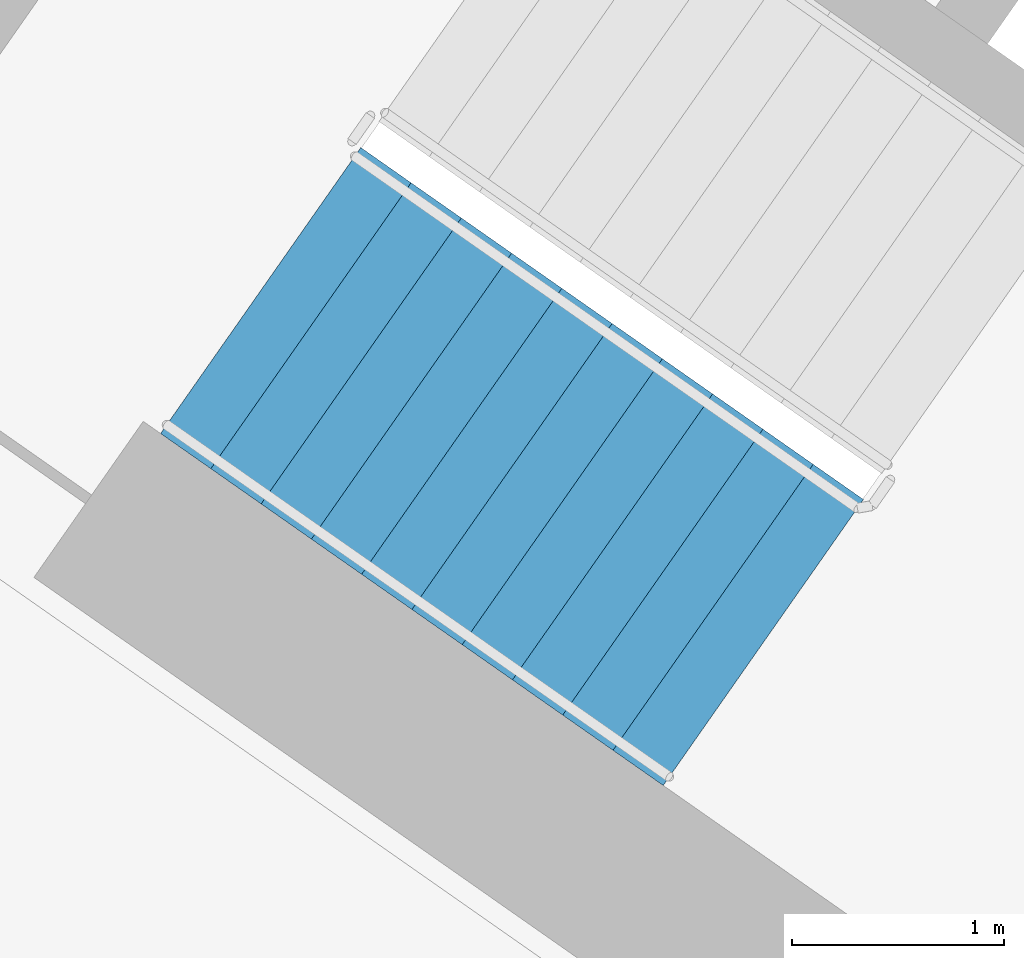
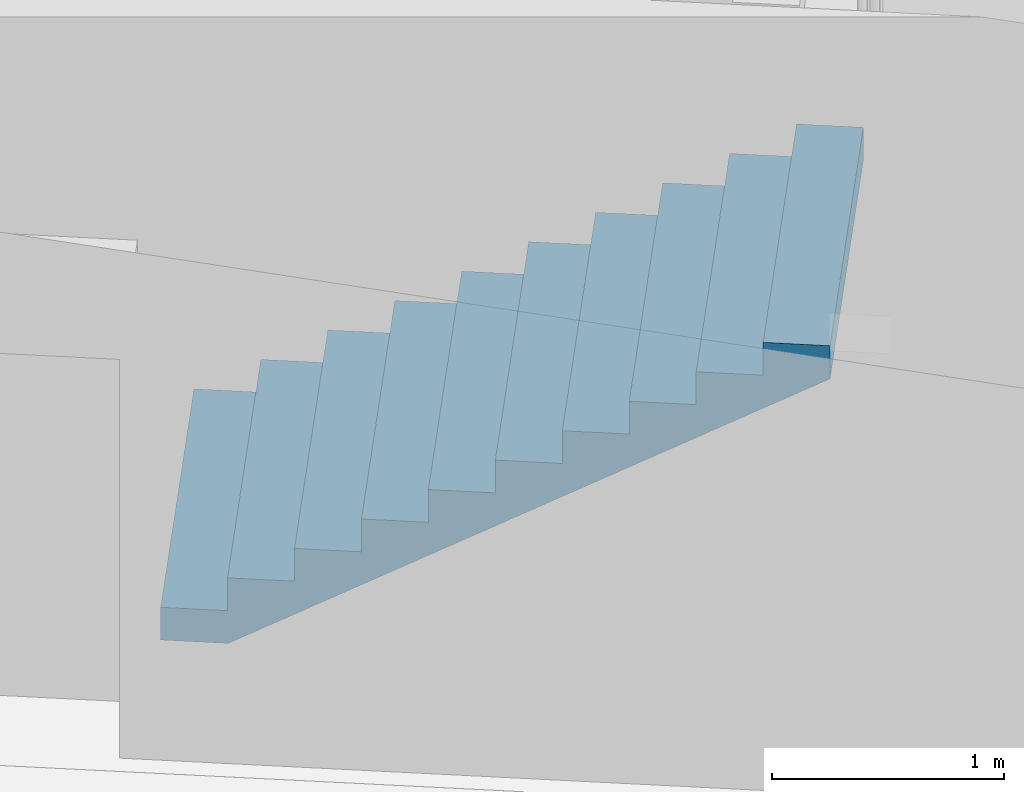
# One storey, part 10 of 31: 1 stair flight, 1 element without a shape of its own.
"""IFC4 building model written with IfcOpenShell, lengths in metres."""

from ifc_helpers import new_model, si_unit, direction, frame, origin, place, context, subcontext, project, spatial, faceted_brep, material, type_object, element, aggregate, save


model = new_model("IFC4")

# Units and contexts
model_context = context("Model", 3, precision=1e-05, world=origin(), true_north=direction((0.0, 1.0)))
body_context = subcontext(model_context, "Body", "Model", "MODEL_VIEW")
ifc_project = project(units=[si_unit("LENGTHUNIT", "METRE"), si_unit("AREAUNIT", "SQUARE_METRE"), si_unit("VOLUMEUNIT", "CUBIC_METRE"), si_unit("PLANEANGLEUNIT", "RADIAN"), si_unit("MASSUNIT", "GRAM", prefix="KILO")], contexts=[model_context])

# Site, building, storey
site_placement = place(None, origin())
site = spatial("IfcSite", under=ifc_project, at=site_placement, CompositionType="ELEMENT")
building_placement = place(site_placement, origin())
building = spatial("IfcBuilding", under=site, at=building_placement, Name="Qamariyya Broadcast Tower", CompositionType="ELEMENT")
storey_placement = place(building_placement, frame((0.0, 0.0, 82.300048828125)))
storey = spatial("IfcBuildingStorey", under=building, at=storey_placement, Name="L17", CompositionType="ELEMENT", Elevation=82.300048828125)

# Stair, stair flight
ifc_material = material(Name="Concrete C50/60", Category="concrete")
stair_type = type_object("IfcStairType", Name="Exit stair 22 risers of 173 mm", PredefinedType="HALF_TURN_STAIR", material=ifc_material)
stair_placement = place(storey_placement, origin())
stair = element("IfcStair", 1, at=stair_placement, inside=storey, type_object=stair_type, Name="L17 Stair W1", PredefinedType="HALF_TURN_STAIR")
stair_flight_type = type_object("IfcStairFlightType", Name="Exit stair flight 11 risers of 173 mm", PredefinedType="STRAIGHT", material=ifc_material)
stair_flight_placement = place(storey_placement, frame((-47.06884765625, -56.982666015625, 0.0), z_axis=(0.0, 0.0, 1.0), x_axis=(0.819152044289, -0.573576436351, 0.0)))
stair_flight = element("IfcStairFlight", 2, at=stair_flight_placement, type_object=stair_flight_type, Name="ST-W1 flight 1", NumberOfRisers=11, NumberOfTreads=10, PredefinedType="STRAIGHT", RiserHeight=0.172727273, TreadLength=0.29, context=body_context, shape_type="Brep", body=[
    faceted_brep([(0.0, 0.824951171875, 0.0), (0.0, 0.824951171875, 0.172607421875), (0.2900390625, 0.824951171875, 0.172607421875), (0.2900390625, 0.824951171875, 0.345458984375), (0.580078125, 0.824951171875, 0.345458984375), (0.580078125, 0.824951171875, 0.51806640625), (0.8701171875, 0.824951171875, 0.51806640625), (0.8701171875, 0.824951171875, 0.69091796875), (1.159912109375, 0.824951171875, 0.69091796875), (1.159912109375, 0.824951171875, 0.863525390625), (1.449951171875, 0.824951171875, 0.863525390625), (1.449951171875, 0.824951171875, 1.036376953125), (1.739990234375, 0.824951171875, 1.036376953125), (1.739990234375, 0.824951171875, 1.208984375), (2.030029296875, 0.824951171875, 1.208984375), (2.030029296875, 0.824951171875, 1.3818359375), (2.320068359375, 0.824951171875, 1.3818359375), (2.320068359375, 0.824951171875, 1.554443359375), (2.610107421875, 0.824951171875, 1.554443359375), (2.610107421875, 0.824951171875, 1.727294921875), (2.89990234375, 0.824951171875, 1.727294921875), (2.89990234375, 0.824951171875, 1.552734375), (0.29296875, 0.824951171875, 0.0), (0.29296875, -0.824951171875, 0.0), (2.89990234375, -0.824951171875, 1.552734375), (2.89990234375, -0.824951171875, 1.727294921875), (2.610107421875, -0.824951171875, 1.727294921875), (2.610107421875, -0.824951171875, 1.554443359375), (2.320068359375, -0.824951171875, 1.554443359375), (2.320068359375, -0.824951171875, 1.3818359375), (2.030029296875, -0.824951171875, 1.3818359375), (2.030029296875, -0.824951171875, 1.208984375), (1.739990234375, -0.824951171875, 1.208984375), (1.739990234375, -0.824951171875, 1.036376953125), (1.449951171875, -0.824951171875, 1.036376953125), (1.449951171875, -0.824951171875, 0.863525390625), (1.159912109375, -0.824951171875, 0.863525390625), (1.159912109375, -0.824951171875, 0.69091796875), (0.8701171875, -0.824951171875, 0.69091796875), (0.8701171875, -0.824951171875, 0.51806640625), (0.580078125, -0.824951171875, 0.51806640625), (0.580078125, -0.824951171875, 0.345458984375), (0.2900390625, -0.824951171875, 0.345458984375), (0.2900390625, -0.824951171875, 0.172607421875), (0.0, -0.824951171875, 0.172607421875), (0.0, -0.824951171875, 0.0), (0.0, 0.10009765625, 0.0), (0.0, 0.086669921875, 0.0), (0.0, 0.0732421875, 0.0), (0.0, 0.06005859375, 0.0), (0.0, 0.046630859375, 0.0), (0.0, 0.033447265625, 0.0), (0.0, 0.02001953125, 0.0), (0.0, 0.006591796875, 0.0), (0.0, -0.006591796875, 0.0), (0.0, -0.02001953125, 0.0), (0.0, -0.033447265625, 0.0), (0.0, -0.046630859375, 0.0), (0.0, -0.06005859375, 0.0), (0.0, -0.0732421875, 0.0), (0.0, -0.086669921875, 0.0), (0.0, -0.10009765625, 0.0), (0.0, -0.10009765625, 0.172607421875), (0.0, -0.086669921875, 0.172607421875), (0.0, -0.0732421875, 0.172607421875), (0.0, -0.06005859375, 0.172607421875), (0.0, -0.046630859375, 0.172607421875), (0.0, -0.033447265625, 0.172607421875), (0.0, -0.02001953125, 0.172607421875), (0.0, -0.006591796875, 0.172607421875), (0.0, 0.006591796875, 0.172607421875), (0.0, 0.02001953125, 0.172607421875), (0.0, 0.033447265625, 0.172607421875), (0.0, 0.046630859375, 0.172607421875), (0.0, 0.06005859375, 0.172607421875), (0.0, 0.0732421875, 0.172607421875), (0.0, 0.086669921875, 0.172607421875), (0.0, 0.10009765625, 0.172607421875), (0.2900390625, -0.10009765625, 0.172607421875), (0.2900390625, -0.086669921875, 0.172607421875), (0.2900390625, -0.0732421875, 0.172607421875), (0.2900390625, -0.06005859375, 0.172607421875), (0.2900390625, -0.046630859375, 0.172607421875), (0.2900390625, -0.033447265625, 0.172607421875), (0.2900390625, -0.02001953125, 0.172607421875), (0.2900390625, -0.006591796875, 0.172607421875), (0.2900390625, 0.006591796875, 0.172607421875), (0.2900390625, 0.02001953125, 0.172607421875), (0.2900390625, 0.033447265625, 0.172607421875), (0.2900390625, 0.046630859375, 0.172607421875), (0.2900390625, 0.06005859375, 0.172607421875), (0.2900390625, 0.0732421875, 0.172607421875), (0.2900390625, 0.086669921875, 0.172607421875), (0.2900390625, 0.10009765625, 0.172607421875), (0.2900390625, -0.10009765625, 0.345458984375), (0.2900390625, -0.086669921875, 0.345458984375), (0.2900390625, -0.0732421875, 0.345458984375), (0.2900390625, -0.06005859375, 0.345458984375), (0.2900390625, -0.046630859375, 0.345458984375), (0.2900390625, -0.033447265625, 0.345458984375), (0.2900390625, -0.02001953125, 0.345458984375), (0.2900390625, -0.006591796875, 0.345458984375), (0.2900390625, 0.006591796875, 0.345458984375), (0.2900390625, 0.02001953125, 0.345458984375), (0.2900390625, 0.033447265625, 0.345458984375), (0.2900390625, 0.046630859375, 0.345458984375), (0.2900390625, 0.06005859375, 0.345458984375), (0.2900390625, 0.0732421875, 0.345458984375), (0.2900390625, 0.086669921875, 0.345458984375), (0.2900390625, 0.10009765625, 0.345458984375), (0.580078125, -0.10009765625, 0.345458984375), (0.580078125, -0.086669921875, 0.345458984375), (0.580078125, -0.0732421875, 0.345458984375), (0.580078125, -0.06005859375, 0.345458984375), (0.580078125, -0.046630859375, 0.345458984375), (0.580078125, -0.033447265625, 0.345458984375), (0.580078125, -0.02001953125, 0.345458984375), (0.580078125, -0.006591796875, 0.345458984375), (0.580078125, 0.006591796875, 0.345458984375), (0.580078125, 0.02001953125, 0.345458984375), (0.580078125, 0.033447265625, 0.345458984375), (0.580078125, 0.046630859375, 0.345458984375), (0.580078125, 0.06005859375, 0.345458984375), (0.580078125, 0.0732421875, 0.345458984375), (0.580078125, 0.086669921875, 0.345458984375), (0.580078125, 0.10009765625, 0.345458984375), (0.580078125, -0.10009765625, 0.51806640625), (0.580078125, -0.086669921875, 0.51806640625), (0.580078125, -0.0732421875, 0.51806640625), (0.580078125, -0.06005859375, 0.51806640625), (0.580078125, -0.046630859375, 0.51806640625), (0.580078125, -0.033447265625, 0.51806640625), (0.580078125, -0.02001953125, 0.51806640625), (0.580078125, -0.006591796875, 0.51806640625), (0.580078125, 0.006591796875, 0.51806640625), (0.580078125, 0.02001953125, 0.51806640625), (0.580078125, 0.033447265625, 0.51806640625), (0.580078125, 0.046630859375, 0.51806640625), (0.580078125, 0.06005859375, 0.51806640625), (0.580078125, 0.0732421875, 0.51806640625), (0.580078125, 0.086669921875, 0.51806640625), (0.580078125, 0.10009765625, 0.51806640625), (0.8701171875, -0.10009765625, 0.51806640625), (0.8701171875, -0.086669921875, 0.51806640625), (0.8701171875, -0.0732421875, 0.51806640625), (0.8701171875, -0.06005859375, 0.51806640625), (0.8701171875, -0.046630859375, 0.51806640625), (0.8701171875, -0.033447265625, 0.51806640625), (0.8701171875, -0.02001953125, 0.51806640625), (0.8701171875, -0.006591796875, 0.51806640625), (0.8701171875, 0.006591796875, 0.51806640625), (0.8701171875, 0.02001953125, 0.51806640625), (0.8701171875, 0.033447265625, 0.51806640625), (0.8701171875, 0.046630859375, 0.51806640625), (0.8701171875, 0.06005859375, 0.51806640625), (0.8701171875, 0.0732421875, 0.51806640625), (0.8701171875, 0.086669921875, 0.51806640625), (0.8701171875, 0.10009765625, 0.51806640625), (0.8701171875, -0.10009765625, 0.69091796875), (0.8701171875, -0.086669921875, 0.69091796875), (0.8701171875, -0.0732421875, 0.69091796875), (0.8701171875, -0.06005859375, 0.69091796875), (0.8701171875, -0.046630859375, 0.69091796875), (0.8701171875, -0.033447265625, 0.69091796875), (0.8701171875, -0.02001953125, 0.69091796875), (0.8701171875, -0.006591796875, 0.69091796875), (0.8701171875, 0.006591796875, 0.69091796875), (0.8701171875, 0.02001953125, 0.69091796875), (0.8701171875, 0.033447265625, 0.69091796875), (0.8701171875, 0.046630859375, 0.69091796875), (0.8701171875, 0.06005859375, 0.69091796875), (0.8701171875, 0.0732421875, 0.69091796875), (0.8701171875, 0.086669921875, 0.69091796875), (0.8701171875, 0.10009765625, 0.69091796875), (1.159912109375, -0.10009765625, 0.69091796875), (1.159912109375, -0.086669921875, 0.69091796875), (1.159912109375, -0.0732421875, 0.69091796875), (1.159912109375, -0.06005859375, 0.69091796875), (1.159912109375, -0.046630859375, 0.69091796875), (1.159912109375, -0.033447265625, 0.69091796875), (1.159912109375, -0.02001953125, 0.69091796875), (1.159912109375, -0.006591796875, 0.69091796875), (1.159912109375, 0.006591796875, 0.69091796875), (1.159912109375, 0.02001953125, 0.69091796875), (1.159912109375, 0.033447265625, 0.69091796875), (1.159912109375, 0.046630859375, 0.69091796875), (1.159912109375, 0.06005859375, 0.69091796875), (1.159912109375, 0.0732421875, 0.69091796875), (1.159912109375, 0.086669921875, 0.69091796875), (1.159912109375, 0.10009765625, 0.69091796875), (1.159912109375, -0.10009765625, 0.863525390625), (1.159912109375, -0.086669921875, 0.863525390625), (1.159912109375, -0.0732421875, 0.863525390625), (1.159912109375, -0.06005859375, 0.863525390625), (1.159912109375, -0.046630859375, 0.863525390625), (1.159912109375, -0.033447265625, 0.863525390625), (1.159912109375, -0.02001953125, 0.863525390625), (1.159912109375, -0.006591796875, 0.863525390625), (1.159912109375, 0.006591796875, 0.863525390625), (1.159912109375, 0.02001953125, 0.863525390625), (1.159912109375, 0.033447265625, 0.863525390625), (1.159912109375, 0.046630859375, 0.863525390625), (1.159912109375, 0.06005859375, 0.863525390625), (1.159912109375, 0.0732421875, 0.863525390625), (1.159912109375, 0.086669921875, 0.863525390625), (1.159912109375, 0.10009765625, 0.863525390625), (1.449951171875, -0.10009765625, 0.863525390625), (1.449951171875, -0.086669921875, 0.863525390625), (1.449951171875, -0.0732421875, 0.863525390625), (1.449951171875, -0.06005859375, 0.863525390625), (1.449951171875, -0.046630859375, 0.863525390625), (1.449951171875, -0.033447265625, 0.863525390625), (1.449951171875, -0.02001953125, 0.863525390625), (1.449951171875, -0.006591796875, 0.863525390625), (1.449951171875, 0.006591796875, 0.863525390625), (1.449951171875, 0.02001953125, 0.863525390625), (1.449951171875, 0.033447265625, 0.863525390625), (1.449951171875, 0.046630859375, 0.863525390625), (1.449951171875, 0.06005859375, 0.863525390625), (1.449951171875, 0.0732421875, 0.863525390625), (1.449951171875, 0.086669921875, 0.863525390625), (1.449951171875, 0.10009765625, 0.863525390625), (1.449951171875, -0.10009765625, 1.036376953125), (1.449951171875, -0.086669921875, 1.036376953125), (1.449951171875, -0.0732421875, 1.036376953125), (1.449951171875, -0.06005859375, 1.036376953125), (1.449951171875, -0.046630859375, 1.036376953125), (1.449951171875, -0.033447265625, 1.036376953125), (1.449951171875, -0.02001953125, 1.036376953125), (1.449951171875, -0.006591796875, 1.036376953125), (1.449951171875, 0.006591796875, 1.036376953125), (1.449951171875, 0.02001953125, 1.036376953125), (1.449951171875, 0.033447265625, 1.036376953125), (1.449951171875, 0.046630859375, 1.036376953125), (1.449951171875, 0.06005859375, 1.036376953125), (1.449951171875, 0.0732421875, 1.036376953125), (1.449951171875, 0.086669921875, 1.036376953125), (1.449951171875, 0.10009765625, 1.036376953125), (1.739990234375, -0.10009765625, 1.036376953125), (1.739990234375, -0.086669921875, 1.036376953125), (1.739990234375, -0.0732421875, 1.036376953125), (1.739990234375, -0.06005859375, 1.036376953125), (1.739990234375, -0.046630859375, 1.036376953125), (1.739990234375, -0.033447265625, 1.036376953125), (1.739990234375, -0.02001953125, 1.036376953125), (1.739990234375, -0.006591796875, 1.036376953125), (1.739990234375, 0.006591796875, 1.036376953125), (1.739990234375, 0.02001953125, 1.036376953125), (1.739990234375, 0.033447265625, 1.036376953125), (1.739990234375, 0.046630859375, 1.036376953125), (1.739990234375, 0.06005859375, 1.036376953125), (1.739990234375, 0.0732421875, 1.036376953125), (1.739990234375, 0.086669921875, 1.036376953125), (1.739990234375, 0.10009765625, 1.036376953125), (1.739990234375, -0.10009765625, 1.208984375), (1.739990234375, -0.086669921875, 1.208984375), (1.739990234375, -0.0732421875, 1.208984375), (1.739990234375, -0.06005859375, 1.208984375), (1.739990234375, -0.046630859375, 1.208984375), (1.739990234375, -0.033447265625, 1.208984375), (1.739990234375, -0.02001953125, 1.208984375), (1.739990234375, -0.006591796875, 1.208984375), (1.739990234375, 0.006591796875, 1.208984375), (1.739990234375, 0.02001953125, 1.208984375), (1.739990234375, 0.033447265625, 1.208984375), (1.739990234375, 0.046630859375, 1.208984375), (1.739990234375, 0.06005859375, 1.208984375), (1.739990234375, 0.0732421875, 1.208984375), (1.739990234375, 0.086669921875, 1.208984375), (1.739990234375, 0.10009765625, 1.208984375), (2.030029296875, -0.10009765625, 1.208984375), (2.030029296875, -0.086669921875, 1.208984375), (2.030029296875, -0.0732421875, 1.208984375), (2.030029296875, -0.06005859375, 1.208984375), (2.030029296875, -0.046630859375, 1.208984375), (2.030029296875, -0.033447265625, 1.208984375), (2.030029296875, -0.02001953125, 1.208984375), (2.030029296875, -0.006591796875, 1.208984375), (2.030029296875, 0.006591796875, 1.208984375), (2.030029296875, 0.02001953125, 1.208984375), (2.030029296875, 0.033447265625, 1.208984375), (2.030029296875, 0.046630859375, 1.208984375), (2.030029296875, 0.06005859375, 1.208984375), (2.030029296875, 0.0732421875, 1.208984375), (2.030029296875, 0.086669921875, 1.208984375), (2.030029296875, 0.10009765625, 1.208984375), (2.030029296875, -0.10009765625, 1.3818359375), (2.030029296875, -0.086669921875, 1.3818359375), (2.030029296875, -0.0732421875, 1.3818359375), (2.030029296875, -0.06005859375, 1.3818359375), (2.030029296875, -0.046630859375, 1.3818359375), (2.030029296875, -0.033447265625, 1.3818359375), (2.030029296875, -0.02001953125, 1.3818359375), (2.030029296875, -0.006591796875, 1.3818359375), (2.030029296875, 0.006591796875, 1.3818359375), (2.030029296875, 0.02001953125, 1.3818359375), (2.030029296875, 0.033447265625, 1.3818359375), (2.030029296875, 0.046630859375, 1.3818359375), (2.030029296875, 0.06005859375, 1.3818359375), (2.030029296875, 0.0732421875, 1.3818359375), (2.030029296875, 0.086669921875, 1.3818359375), (2.030029296875, 0.10009765625, 1.3818359375), (2.320068359375, -0.10009765625, 1.3818359375), (2.320068359375, -0.086669921875, 1.3818359375), (2.320068359375, -0.0732421875, 1.3818359375), (2.320068359375, -0.06005859375, 1.3818359375), (2.320068359375, -0.046630859375, 1.3818359375), (2.320068359375, -0.033447265625, 1.3818359375), (2.320068359375, -0.02001953125, 1.3818359375), (2.320068359375, -0.006591796875, 1.3818359375), (2.320068359375, 0.006591796875, 1.3818359375), (2.320068359375, 0.02001953125, 1.3818359375), (2.320068359375, 0.033447265625, 1.3818359375), (2.320068359375, 0.046630859375, 1.3818359375), (2.320068359375, 0.06005859375, 1.3818359375), (2.320068359375, 0.0732421875, 1.3818359375), (2.320068359375, 0.086669921875, 1.3818359375), (2.320068359375, 0.10009765625, 1.3818359375), (2.320068359375, -0.10009765625, 1.554443359375), (2.320068359375, -0.086669921875, 1.554443359375), (2.320068359375, -0.0732421875, 1.554443359375), (2.320068359375, -0.06005859375, 1.554443359375), (2.320068359375, -0.046630859375, 1.554443359375), (2.320068359375, -0.033447265625, 1.554443359375), (2.320068359375, -0.02001953125, 1.554443359375), (2.320068359375, -0.006591796875, 1.554443359375), (2.320068359375, 0.006591796875, 1.554443359375), (2.320068359375, 0.02001953125, 1.554443359375), (2.320068359375, 0.033447265625, 1.554443359375), (2.320068359375, 0.046630859375, 1.554443359375), (2.320068359375, 0.06005859375, 1.554443359375), (2.320068359375, 0.0732421875, 1.554443359375), (2.320068359375, 0.086669921875, 1.554443359375), (2.320068359375, 0.10009765625, 1.554443359375), (2.610107421875, -0.10009765625, 1.554443359375), (2.610107421875, -0.086669921875, 1.554443359375), (2.610107421875, -0.0732421875, 1.554443359375), (2.610107421875, -0.06005859375, 1.554443359375), (2.610107421875, -0.046630859375, 1.554443359375), (2.610107421875, -0.033447265625, 1.554443359375), (2.610107421875, -0.02001953125, 1.554443359375), (2.610107421875, -0.006591796875, 1.554443359375), (2.610107421875, 0.006591796875, 1.554443359375), (2.610107421875, 0.02001953125, 1.554443359375), (2.610107421875, 0.033447265625, 1.554443359375), (2.610107421875, 0.046630859375, 1.554443359375), (2.610107421875, 0.06005859375, 1.554443359375), (2.610107421875, 0.0732421875, 1.554443359375), (2.610107421875, 0.086669921875, 1.554443359375), (2.610107421875, 0.10009765625, 1.554443359375), (2.610107421875, -0.10009765625, 1.727294921875), (2.610107421875, -0.086669921875, 1.727294921875), (2.610107421875, -0.0732421875, 1.727294921875), (2.610107421875, -0.06005859375, 1.727294921875), (2.610107421875, -0.046630859375, 1.727294921875), (2.610107421875, -0.033447265625, 1.727294921875), (2.610107421875, -0.02001953125, 1.727294921875), (2.610107421875, -0.006591796875, 1.727294921875), (2.610107421875, 0.006591796875, 1.727294921875), (2.610107421875, 0.02001953125, 1.727294921875), (2.610107421875, 0.033447265625, 1.727294921875), (2.610107421875, 0.046630859375, 1.727294921875), (2.610107421875, 0.06005859375, 1.727294921875), (2.610107421875, 0.0732421875, 1.727294921875), (2.610107421875, 0.086669921875, 1.727294921875), (2.610107421875, 0.10009765625, 1.727294921875), (2.89990234375, -0.10009765625, 1.727294921875), (2.89990234375, -0.086669921875, 1.727294921875), (2.89990234375, -0.0732421875, 1.727294921875), (2.89990234375, -0.06005859375, 1.727294921875), (2.89990234375, -0.046630859375, 1.727294921875), (2.89990234375, -0.033447265625, 1.727294921875), (2.89990234375, -0.02001953125, 1.727294921875), (2.89990234375, -0.006591796875, 1.727294921875), (2.89990234375, 0.006591796875, 1.727294921875), (2.89990234375, 0.02001953125, 1.727294921875), (2.89990234375, 0.033447265625, 1.727294921875), (2.89990234375, 0.046630859375, 1.727294921875), (2.89990234375, 0.06005859375, 1.727294921875), (2.89990234375, 0.0732421875, 1.727294921875), (2.89990234375, 0.086669921875, 1.727294921875), (2.89990234375, 0.10009765625, 1.727294921875), (2.89990234375, -0.10009765625, 1.552734375), (2.89990234375, -0.086669921875, 1.552734375), (2.89990234375, -0.0732421875, 1.552734375), (2.89990234375, -0.06005859375, 1.552734375), (2.89990234375, -0.046630859375, 1.552734375), (2.89990234375, -0.033447265625, 1.552734375), (2.89990234375, -0.02001953125, 1.552734375), (2.89990234375, -0.006591796875, 1.552734375), (2.89990234375, 0.006591796875, 1.552734375), (2.89990234375, 0.02001953125, 1.552734375), (2.89990234375, 0.033447265625, 1.552734375), (2.89990234375, 0.046630859375, 1.552734375), (2.89990234375, 0.06005859375, 1.552734375), (2.89990234375, 0.0732421875, 1.552734375), (2.89990234375, 0.086669921875, 1.552734375), (2.89990234375, 0.10009765625, 1.552734375), (0.29296875, -0.10009765625, 0.0), (0.29296875, -0.086669921875, 0.0), (0.29296875, -0.0732421875, 0.0), (0.29296875, -0.06005859375, 0.0), (0.29296875, -0.046630859375, 0.0), (0.29296875, -0.033447265625, 0.0), (0.29296875, -0.02001953125, 0.0), (0.29296875, -0.006591796875, 0.0), (0.29296875, 0.006591796875, 0.0), (0.29296875, 0.02001953125, 0.0), (0.29296875, 0.033447265625, 0.0), (0.29296875, 0.046630859375, 0.0), (0.29296875, 0.06005859375, 0.0), (0.29296875, 0.0732421875, 0.0), (0.29296875, 0.086669921875, 0.0), (0.29296875, 0.10009765625, 0.0)], [[[0, 1, 2, 3, 4, 5, 6, 7, 8, 9, 10, 11, 12, 13, 14, 15, 16, 17, 18, 19, 20, 21, 22]], [[23, 24, 25, 26, 27, 28, 29, 30, 31, 32, 33, 34, 35, 36, 37, 38, 39, 40, 41, 42, 43, 44, 45]], [[0, 46, 47, 48, 49, 50, 51, 52, 53, 54, 55, 56, 57, 58, 59, 60, 61, 45, 44, 62, 63, 64, 65, 66, 67, 68, 69, 70, 71, 72, 73, 74, 75, 76, 77, 1]], [[1, 77, 76, 75, 74, 73, 72, 71, 70, 69, 68, 67, 66, 65, 64, 63, 62, 44, 43, 78, 79, 80, 81, 82, 83, 84, 85, 86, 87, 88, 89, 90, 91, 92, 93, 2]], [[2, 93, 92, 91, 90, 89, 88, 87, 86, 85, 84, 83, 82, 81, 80, 79, 78, 43, 42, 94, 95, 96, 97, 98, 99, 100, 101, 102, 103, 104, 105, 106, 107, 108, 109, 3]], [[3, 109, 108, 107, 106, 105, 104, 103, 102, 101, 100, 99, 98, 97, 96, 95, 94, 42, 41, 110, 111, 112, 113, 114, 115, 116, 117, 118, 119, 120, 121, 122, 123, 124, 125, 4]], [[4, 125, 124, 123, 122, 121, 120, 119, 118, 117, 116, 115, 114, 113, 112, 111, 110, 41, 40, 126, 127, 128, 129, 130, 131, 132, 133, 134, 135, 136, 137, 138, 139, 140, 141, 5]], [[5, 141, 140, 139, 138, 137, 136, 135, 134, 133, 132, 131, 130, 129, 128, 127, 126, 40, 39, 142, 143, 144, 145, 146, 147, 148, 149, 150, 151, 152, 153, 154, 155, 156, 157, 6]], [[6, 157, 156, 155, 154, 153, 152, 151, 150, 149, 148, 147, 146, 145, 144, 143, 142, 39, 38, 158, 159, 160, 161, 162, 163, 164, 165, 166, 167, 168, 169, 170, 171, 172, 173, 7]], [[7, 173, 172, 171, 170, 169, 168, 167, 166, 165, 164, 163, 162, 161, 160, 159, 158, 38, 37, 174, 175, 176, 177, 178, 179, 180, 181, 182, 183, 184, 185, 186, 187, 188, 189, 8]], [[8, 189, 188, 187, 186, 185, 184, 183, 182, 181, 180, 179, 178, 177, 176, 175, 174, 37, 36, 190, 191, 192, 193, 194, 195, 196, 197, 198, 199, 200, 201, 202, 203, 204, 205, 9]], [[9, 205, 204, 203, 202, 201, 200, 199, 198, 197, 196, 195, 194, 193, 192, 191, 190, 36, 35, 206, 207, 208, 209, 210, 211, 212, 213, 214, 215, 216, 217, 218, 219, 220, 221, 10]], [[10, 221, 220, 219, 218, 217, 216, 215, 214, 213, 212, 211, 210, 209, 208, 207, 206, 35, 34, 222, 223, 224, 225, 226, 227, 228, 229, 230, 231, 232, 233, 234, 235, 236, 237, 11]], [[11, 237, 236, 235, 234, 233, 232, 231, 230, 229, 228, 227, 226, 225, 224, 223, 222, 34, 33, 238, 239, 240, 241, 242, 243, 244, 245, 246, 247, 248, 249, 250, 251, 252, 253, 12]], [[12, 253, 252, 251, 250, 249, 248, 247, 246, 245, 244, 243, 242, 241, 240, 239, 238, 33, 32, 254, 255, 256, 257, 258, 259, 260, 261, 262, 263, 264, 265, 266, 267, 268, 269, 13]], [[13, 269, 268, 267, 266, 265, 264, 263, 262, 261, 260, 259, 258, 257, 256, 255, 254, 32, 31, 270, 271, 272, 273, 274, 275, 276, 277, 278, 279, 280, 281, 282, 283, 284, 285, 14]], [[14, 285, 284, 283, 282, 281, 280, 279, 278, 277, 276, 275, 274, 273, 272, 271, 270, 31, 30, 286, 287, 288, 289, 290, 291, 292, 293, 294, 295, 296, 297, 298, 299, 300, 301, 15]], [[15, 301, 300, 299, 298, 297, 296, 295, 294, 293, 292, 291, 290, 289, 288, 287, 286, 30, 29, 302, 303, 304, 305, 306, 307, 308, 309, 310, 311, 312, 313, 314, 315, 316, 317, 16]], [[16, 317, 316, 315, 314, 313, 312, 311, 310, 309, 308, 307, 306, 305, 304, 303, 302, 29, 28, 318, 319, 320, 321, 322, 323, 324, 325, 326, 327, 328, 329, 330, 331, 332, 333, 17]], [[17, 333, 332, 331, 330, 329, 328, 327, 326, 325, 324, 323, 322, 321, 320, 319, 318, 28, 27, 334, 335, 336, 337, 338, 339, 340, 341, 342, 343, 344, 345, 346, 347, 348, 349, 18]], [[18, 349, 348, 347, 346, 345, 344, 343, 342, 341, 340, 339, 338, 337, 336, 335, 334, 27, 26, 350, 351, 352, 353, 354, 355, 356, 357, 358, 359, 360, 361, 362, 363, 364, 365, 19]], [[19, 365, 364, 363, 362, 361, 360, 359, 358, 357, 356, 355, 354, 353, 352, 351, 350, 26, 25, 366, 367, 368, 369, 370, 371, 372, 373, 374, 375, 376, 377, 378, 379, 380, 381, 20]], [[20, 381, 380, 379, 378, 377, 376, 375, 374, 373, 372, 371, 370, 369, 368, 367, 366, 25, 24, 382, 383, 384, 385, 386, 387, 388, 389, 390, 391, 392, 393, 394, 395, 396, 397, 21]], [[21, 397, 396, 395, 394, 393, 392, 391, 390, 389, 388, 387, 386, 385, 384, 383, 382, 24, 23, 398, 399, 400, 401, 402, 403, 404, 405, 406, 407, 408, 409, 410, 411, 412, 413, 22]], [[22, 413, 412, 411, 410, 409, 408, 407, 406, 405, 404, 403, 402, 401, 400, 399, 398, 23, 45, 61, 60, 59, 58, 57, 56, 55, 54, 53, 52, 51, 50, 49, 48, 47, 46, 0]]]),
])
aggregate(stair, [stair_flight])

save(model, "model.ifc")
